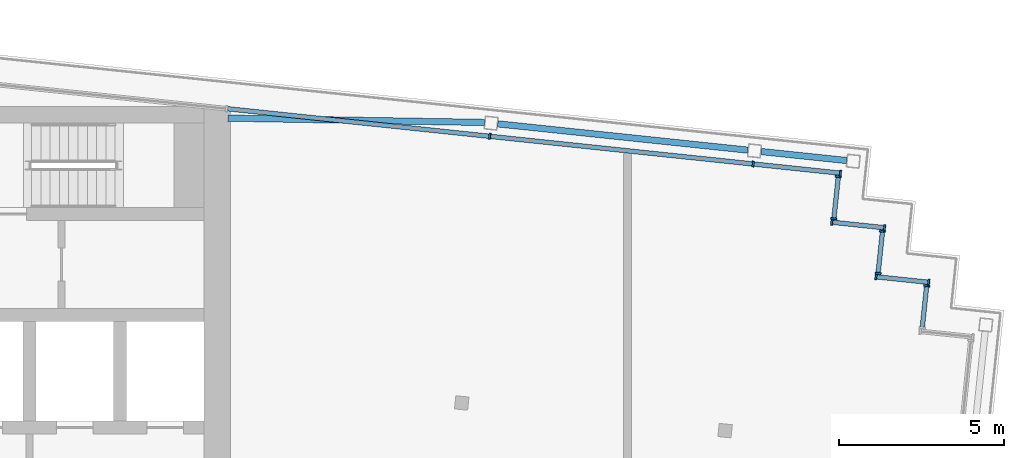
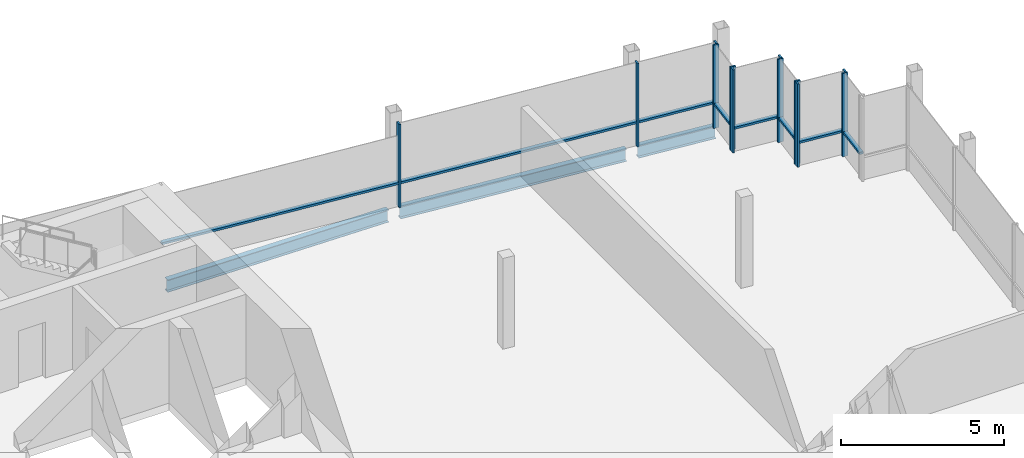
# One storey, part 8 of 15: 20 members, 3 beams, 6 elements without a shape of their own.
"""IFC4 building model written with IfcOpenShell, lengths in metres."""

from ifc_helpers import new_model, si_unit, direction, frame, origin, origin_2d, place, context, subcontext, project, spatial, rectangle, i_section, extrude, material, material_profile, profile_set, type_object, element, aggregate, save


model = new_model("IFC4")

# Units and contexts
model_context = context("Model", 3, precision=1e-05, world=origin(), true_north=direction((0.0, 1.0)))
body_context = subcontext(model_context, "Body", "Model", "MODEL_VIEW")
ifc_project = project(units=[si_unit("LENGTHUNIT", "METRE"), si_unit("AREAUNIT", "SQUARE_METRE"), si_unit("VOLUMEUNIT", "CUBIC_METRE"), si_unit("PLANEANGLEUNIT", "RADIAN"), si_unit("MASSUNIT", "GRAM", prefix="KILO")], contexts=[model_context])

# Site, building, storey
site_placement = place(None, origin())
site = spatial("IfcSite", under=ifc_project, at=site_placement, CompositionType="ELEMENT")
building_placement = place(site_placement, origin())
building = spatial("IfcBuilding", under=site, at=building_placement, Name="Vidyagriha Tower", CompositionType="ELEMENT")
storey_placement = place(building_placement, frame((0.0, 0.0, 291.5)))
storey = spatial("IfcBuildingStorey", under=building, at=storey_placement, Name="L75", CompositionType="ELEMENT", Elevation=291.5)

# Beams
ifc_material_1 = material(Name="Steel ASTM A992 Grade 50", Category="steel")
ifc_material_profile_1 = material_profile(ifc_material_1, i_section(OverallWidth=0.19189453125, OverallDepth=0.46240234375, WebThickness=0.010498046875, FlangeThickness=0.017578125, at=origin_2d()), Name="W18X60")
ifc_profile_set_1 = profile_set([ifc_material_profile_1], Name="Steel ASTM A992 Grade 50")
beam_type = type_object("IfcBeamType", Name="Edge beam W18X60", PredefinedType="SPANDREL", material=ifc_profile_set_1)
beam_1_placement = place(storey_placement, frame((18.080810546875, 19.4775390625, -0.51123046875), z_axis=(0.994521985944, -0.104527601494, 0.0), x_axis=(0.104527601494, 0.994521985944, 0.0)))
element("IfcBeam", 1, at=beam_1_placement, inside=storey, type_object=beam_type, Name="st-beam-L75-NE19", PredefinedType="SPANDREL", context=body_context, shape_type="SweptSolid", body=[
    extrude(i_section(OverallWidth=0.19189453125, OverallDepth=0.46240234375, WebThickness=0.010498046875, FlangeThickness=0.017578125, at=origin_2d()), origin(), (0.0, 0.0, 1.0), 7.600341796875),
])
beam_2_placement = place(storey_placement, frame((26.037109375, 18.641357421875, -0.51123046875), z_axis=(0.99451368233, -0.104606575594, 0.0), x_axis=(0.104606575594, 0.99451368233, 0.0)))
element("IfcBeam", 2, at=beam_2_placement, inside=storey, type_object=beam_type, Name="st-beam-L75-NE20", PredefinedType="SPANDREL", context=body_context, shape_type="SweptSolid", body=[
    extrude(i_section(OverallWidth=0.19189453125, OverallDepth=0.46240234375, WebThickness=0.010498046875, FlangeThickness=0.017578125, at=origin_2d()), origin(), (0.0, 0.0, 1.0), 2.599853515625),
])
beam_3_placement = place(storey_placement, frame((9.92578125, 19.64990234375, -0.51123046875), z_axis=(0.999858276636, -0.016835279726, 0.0), x_axis=(0.016835279726, 0.999858276636, 0.0)))
element("IfcBeam", 3, at=beam_3_placement, inside=storey, type_object=beam_type, Name="st-beam-L75-NC22", PredefinedType="SPANDREL", context=body_context, shape_type="SweptSolid", body=[
    extrude(i_section(OverallWidth=0.19189453125, OverallDepth=0.46240234375, WebThickness=0.010498046875, FlangeThickness=0.017578125, at=origin_2d()), origin(), (0.0, 0.0, 1.0), 7.758544921875),
])

# Curtain wall, member
ifc_material_2 = material(Name="Aluminium and glass curtain wall", Category="aluminium")
curtain_wall_type = type_object("IfcCurtainWallType", Name="Lantern glazing wall", PredefinedType="USERDEFINED", material=ifc_material_2)
curtain_wall_1_placement = place(storey_placement, origin())
curtain_wall_1 = element("IfcCurtainWall", 4, at=curtain_wall_1_placement, inside=storey, type_object=curtain_wall_type, Name="CW4 lantern glazing", ObjectType="STICK GLAZING", PredefinedType="USERDEFINED")
ifc_material_3 = material(Name="Aluminium black anodised", Category="aluminium")
ifc_material_profile_2 = material_profile(ifc_material_3, rectangle(XDim=0.179931640625, YDim=0.06005859375, at=origin_2d()), Name="Mullion 60x180 black aluminium")
ifc_profile_set_2 = profile_set([ifc_material_profile_2], Name="Aluminium black anodised")
member_type_1 = type_object("IfcMemberType", Name="Mullion 60x180 black aluminium", PredefinedType="MULLION", material=ifc_profile_set_2)
member_1_placement = place(storey_placement, frame((31.040771484375, 14.5859375, 0.0), z_axis=(0.0, 0.0, 1.0), x_axis=(-0.994527511623, 0.104475014354, 0.0)))
member_1 = element("IfcMember", 5, at=member_1_placement, type_object=member_type_1, Name="CW4 mullion 2", PredefinedType="MULLION", context=body_context, shape_type="SweptSolid", body=[
    extrude(rectangle(XDim=0.179931640625, YDim=0.06005859375, at=origin_2d()), origin(), (0.0, 0.0, 1.0), 3.1201171875),
])

# Curtain wall, members
curtain_wall_2_placement = place(storey_placement, origin())
curtain_wall_2 = element("IfcCurtainWall", 6, at=curtain_wall_2_placement, inside=storey, type_object=curtain_wall_type, Name="CW4 lantern glazing", ObjectType="STICK GLAZING", PredefinedType="USERDEFINED")
member_2_placement = place(storey_placement, frame((31.101806640625, 14.690185546875, 0.0), z_axis=(0.0, 0.0, 1.0), x_axis=(-0.104518583201, -0.994522933756, 0.0)))
member_2 = element("IfcMember", 7, at=member_2_placement, type_object=member_type_1, Name="CW4 mullion 1", PredefinedType="MULLION", context=body_context, shape_type="SweptSolid", body=[
    extrude(rectangle(XDim=0.179931640625, YDim=0.06005859375, at=origin_2d()), origin(), (0.0, 0.0, 1.0), 3.1201171875),
])
member_3_placement = place(storey_placement, frame((29.5107421875, 14.857421875, 0.0), z_axis=(0.0, 0.0, 1.0), x_axis=(-0.104518583201, -0.994522933756, 0.0)))
member_3 = element("IfcMember", 8, at=member_3_placement, type_object=member_type_1, Name="CW4 mullion 2", PredefinedType="MULLION", context=body_context, shape_type="SweptSolid", body=[
    extrude(rectangle(XDim=0.179931640625, YDim=0.06005859375, at=origin_2d()), origin(), (0.0, 0.0, 1.0), 3.1201171875),
])

curtain_wall_3_placement = place(storey_placement, origin())
curtain_wall_3 = element("IfcCurtainWall", 9, at=curtain_wall_3_placement, inside=storey, type_object=curtain_wall_type, Name="CW4 lantern glazing", ObjectType="STICK GLAZING", PredefinedType="USERDEFINED")
member_4_placement = place(storey_placement, frame((29.57177734375, 14.961669921875, 0.0), z_axis=(0.0, 0.0, 1.0), x_axis=(-0.994518939392, 0.104556583677, 0.0)))
member_4 = element("IfcMember", 10, at=member_4_placement, type_object=member_type_1, Name="CW4 mullion 1", PredefinedType="MULLION", context=body_context, shape_type="SweptSolid", body=[
    extrude(rectangle(XDim=0.179931640625, YDim=0.06005859375, at=origin_2d()), origin(), (0.0, 0.0, 1.0), 3.1201171875),
])
member_5_placement = place(storey_placement, frame((29.70556640625, 16.234619140625, 0.0), z_axis=(0.0, 0.0, 1.0), x_axis=(-0.994518939392, 0.104556583677, 0.0)))
member_5 = element("IfcMember", 11, at=member_5_placement, type_object=member_type_1, Name="CW4 mullion 2", PredefinedType="MULLION", context=body_context, shape_type="SweptSolid", body=[
    extrude(rectangle(XDim=0.179931640625, YDim=0.06005859375, at=origin_2d()), origin(), (0.0, 0.0, 1.0), 3.1201171875),
])

curtain_wall_4_placement = place(storey_placement, origin())
curtain_wall_4 = element("IfcCurtainWall", 12, at=curtain_wall_4_placement, inside=storey, type_object=curtain_wall_type, Name="CW4 lantern glazing", ObjectType="STICK GLAZING", PredefinedType="USERDEFINED")
member_6_placement = place(storey_placement, frame((29.766845703125, 16.338623046875, 0.0), z_axis=(0.0, 0.0, 1.0), x_axis=(-0.104518583201, -0.994522933756, 0.0)))
member_6 = element("IfcMember", 13, at=member_6_placement, type_object=member_type_1, Name="CW4 mullion 1", PredefinedType="MULLION", context=body_context, shape_type="SweptSolid", body=[
    extrude(rectangle(XDim=0.179931640625, YDim=0.06005859375, at=origin_2d()), origin(), (0.0, 0.0, 1.0), 3.1201171875),
])
member_7_placement = place(storey_placement, frame((28.175537109375, 16.505859375, 0.0), z_axis=(0.0, 0.0, 1.0), x_axis=(-0.104518583201, -0.994522933756, 0.0)))
member_7 = element("IfcMember", 14, at=member_7_placement, type_object=member_type_1, Name="CW4 mullion 2", PredefinedType="MULLION", context=body_context, shape_type="SweptSolid", body=[
    extrude(rectangle(XDim=0.179931640625, YDim=0.06005859375, at=origin_2d()), origin(), (0.0, 0.0, 1.0), 3.1201171875),
])

curtain_wall_5_placement = place(storey_placement, origin())
curtain_wall_5 = element("IfcCurtainWall", 15, at=curtain_wall_5_placement, inside=storey, type_object=curtain_wall_type, Name="CW4 lantern glazing", ObjectType="STICK GLAZING", PredefinedType="USERDEFINED")
member_8_placement = place(storey_placement, frame((28.23681640625, 16.6103515625, 0.0), z_axis=(0.0, 0.0, 1.0), x_axis=(-0.994518939392, 0.104556583677, 0.0)))
member_8 = element("IfcMember", 16, at=member_8_placement, type_object=member_type_1, Name="CW4 mullion 1", PredefinedType="MULLION", context=body_context, shape_type="SweptSolid", body=[
    extrude(rectangle(XDim=0.179931640625, YDim=0.06005859375, at=origin_2d()), origin(), (0.0, 0.0, 1.0), 3.1201171875),
])
member_9_placement = place(storey_placement, frame((28.37060546875, 17.883056640625, 0.0), z_axis=(0.0, 0.0, 1.0), x_axis=(-0.994518939392, 0.104556583677, 0.0)))
member_9 = element("IfcMember", 17, at=member_9_placement, type_object=member_type_1, Name="CW4 mullion 2", PredefinedType="MULLION", context=body_context, shape_type="SweptSolid", body=[
    extrude(rectangle(XDim=0.179931640625, YDim=0.06005859375, at=origin_2d()), origin(), (0.0, 0.0, 1.0), 3.1201171875),
])

curtain_wall_6_placement = place(storey_placement, origin())
curtain_wall_6 = element("IfcCurtainWall", 18, at=curtain_wall_6_placement, inside=storey, type_object=curtain_wall_type, Name="CW4 lantern glazing", ObjectType="STICK GLAZING", PredefinedType="USERDEFINED")
member_10_placement = place(storey_placement, frame((28.431884765625, 17.9873046875, 0.0), z_axis=(0.0, 0.0, 1.0), x_axis=(-0.104528022383, -0.994521941707, 0.0)))
member_10 = element("IfcMember", 19, at=member_10_placement, type_object=member_type_1, Name="CW4 mullion 1", PredefinedType="MULLION", context=body_context, shape_type="SweptSolid", body=[
    extrude(rectangle(XDim=0.179931640625, YDim=0.06005859375, at=origin_2d()), origin(), (0.0, 0.0, 1.0), 3.1201171875),
])
member_11_placement = place(storey_placement, frame((25.79638671875, 18.264404296875, 0.0), z_axis=(0.0, 0.0, 1.0), x_axis=(-0.104528022383, -0.994521941707, 0.0)))
member_11 = element("IfcMember", 20, at=member_11_placement, type_object=member_type_1, Name="CW4 mullion 2", PredefinedType="MULLION", context=body_context, shape_type="SweptSolid", body=[
    extrude(rectangle(XDim=0.179931640625, YDim=0.06005859375, at=origin_2d()), origin(), (0.0, 0.0, 1.0), 3.1201171875),
])
member_12_placement = place(storey_placement, frame((17.840087890625, 19.1005859375, 0.0), z_axis=(0.0, 0.0, 1.0), x_axis=(-0.104528022383, -0.994521941707, 0.0)))
member_12 = element("IfcMember", 21, at=member_12_placement, type_object=member_type_1, Name="CW4 mullion 3", PredefinedType="MULLION", context=body_context, shape_type="SweptSolid", body=[
    extrude(rectangle(XDim=0.179931640625, YDim=0.06005859375, at=origin_2d()), origin(), (0.0, 0.0, 1.0), 3.1201171875),
])

# Member
ifc_material_4 = material(Name="Aluminium black anodised", Category="aluminium")
ifc_material_profile_3 = material_profile(ifc_material_4, rectangle(XDim=0.139892578125, YDim=0.080078125, at=origin_2d()), Name="Transom 80x140 black aluminium")
ifc_profile_set_3 = profile_set([ifc_material_profile_3], Name="Aluminium black anodised")
member_type_2 = type_object("IfcMemberType", Name="Transom 80x140 black aluminium", PredefinedType="USERDEFINED", material=ifc_profile_set_3)
member_13_placement = place(storey_placement, frame((30.91015625, 13.3427734375, 0.89990234375), z_axis=(0.104455618622, 0.994529548952, 0.0), x_axis=(-0.994529548952, 0.104455618622, 0.0)))
member_13 = element("IfcMember", 22, at=member_13_placement, type_object=member_type_2, Name="CW4 transom 1.1", ObjectType="TRANSOM", PredefinedType="USERDEFINED", context=body_context, shape_type="SweptSolid", body=[
    extrude(rectangle(XDim=0.139892578125, YDim=0.080078125, at=origin_2d()), origin(), (0.0, 0.0, 1.0), 1.219970703125),
])

aggregate(curtain_wall_1, [member_1, member_13])

member_14_placement = place(storey_placement, frame((31.072021484375, 14.693359375, 0.89990234375), z_axis=(-0.994527149453, 0.104478461899, 0.0), x_axis=(-0.104478461899, -0.994527149453, 0.0)))
member_14 = element("IfcMember", 23, at=member_14_placement, type_object=member_type_2, Name="CW4 transom 1.1", ObjectType="TRANSOM", PredefinedType="USERDEFINED", context=body_context, shape_type="SweptSolid", body=[
    extrude(rectangle(XDim=0.139892578125, YDim=0.080078125, at=origin_2d()), origin(), (0.0, 0.0, 1.0), 1.5400390625),
])

aggregate(curtain_wall_2, [member_2, member_3, member_14])

member_15_placement = place(storey_placement, frame((29.574951171875, 14.991455078125, 0.89990234375), z_axis=(0.104653535604, 0.994508741784, 0.0), x_axis=(-0.994508741784, 0.104653535604, 0.0)))
member_15 = element("IfcMember", 24, at=member_15_placement, type_object=member_type_2, Name="CW4 transom 1.1", ObjectType="TRANSOM", PredefinedType="USERDEFINED", context=body_context, shape_type="SweptSolid", body=[
    extrude(rectangle(XDim=0.139892578125, YDim=0.080078125, at=origin_2d()), origin(), (0.0, 0.0, 1.0), 1.219970703125),
])

aggregate(curtain_wall_3, [member_4, member_5, member_15])

member_16_placement = place(storey_placement, frame((29.737060546875, 16.341796875, 0.89990234375), z_axis=(-0.994510663906, 0.104635268321, 0.0), x_axis=(-0.104635268321, -0.994510663906, 0.0)))
member_16 = element("IfcMember", 25, at=member_16_placement, type_object=member_type_2, Name="CW4 transom 1.1", ObjectType="TRANSOM", PredefinedType="USERDEFINED", context=body_context, shape_type="SweptSolid", body=[
    extrude(rectangle(XDim=0.139892578125, YDim=0.080078125, at=origin_2d()), origin(), (0.0, 0.0, 1.0), 1.5400390625),
])

aggregate(curtain_wall_4, [member_6, member_7, member_16])

member_17_placement = place(storey_placement, frame((28.239990234375, 16.64013671875, 0.89990234375), z_axis=(0.104476410646, 0.994527364942, 0.0), x_axis=(-0.994527364942, 0.104476410646, 0.0)))
member_17 = element("IfcMember", 26, at=member_17_placement, type_object=member_type_2, Name="CW4 transom 1.1", ObjectType="TRANSOM", PredefinedType="USERDEFINED", context=body_context, shape_type="SweptSolid", body=[
    extrude(rectangle(XDim=0.139892578125, YDim=0.080078125, at=origin_2d()), origin(), (0.0, 0.0, 1.0), 1.2197265625),
])

aggregate(curtain_wall_5, [member_8, member_9, member_17])

member_18_placement = place(storey_placement, frame((28.402099609375, 17.990478515625, 0.89990234375), z_axis=(-0.994521452323, 0.104532678478, 0.0), x_axis=(-0.104532678478, -0.994521452323, 0.0)))
member_18 = element("IfcMember", 27, at=member_18_placement, type_object=member_type_2, Name="CW4 transom 1.1", ObjectType="TRANSOM", PredefinedType="USERDEFINED", context=body_context, shape_type="SweptSolid", body=[
    extrude(rectangle(XDim=0.139892578125, YDim=0.080078125, at=origin_2d()), origin(), (0.0, 0.0, 1.0), 2.590087890625),
])

member_19_placement = place(storey_placement, frame((25.7666015625, 18.267578125, 0.89990234375), z_axis=(-0.994523465953, 0.104513519069, 0.0), x_axis=(-0.104513519069, -0.994523465953, 0.0)))
member_19 = element("IfcMember", 28, at=member_19_placement, type_object=member_type_2, Name="CW4 transom 2.1", ObjectType="TRANSOM", PredefinedType="USERDEFINED", context=body_context, shape_type="SweptSolid", body=[
    extrude(rectangle(XDim=0.139892578125, YDim=0.080078125, at=origin_2d()), origin(), (0.0, 0.0, 1.0), 7.93994140625),
])

member_20_placement = place(storey_placement, frame((17.810302734375, 19.103759765625, 0.89990234375), z_axis=(-0.994523465953, 0.104513519069, 0.0), x_axis=(-0.104513519069, -0.994523465953, 0.0)))
member_20 = element("IfcMember", 29, at=member_20_placement, type_object=member_type_2, Name="CW4 transom 3.1", ObjectType="TRANSOM", PredefinedType="USERDEFINED", context=body_context, shape_type="SweptSolid", body=[
    extrude(rectangle(XDim=0.139892578125, YDim=0.080078125, at=origin_2d()), origin(), (0.0, 0.0, 1.0), 7.93994140625),
])

aggregate(curtain_wall_6, [member_10, member_11, member_12, member_18, member_19, member_20])

save(model, "model.ifc")
